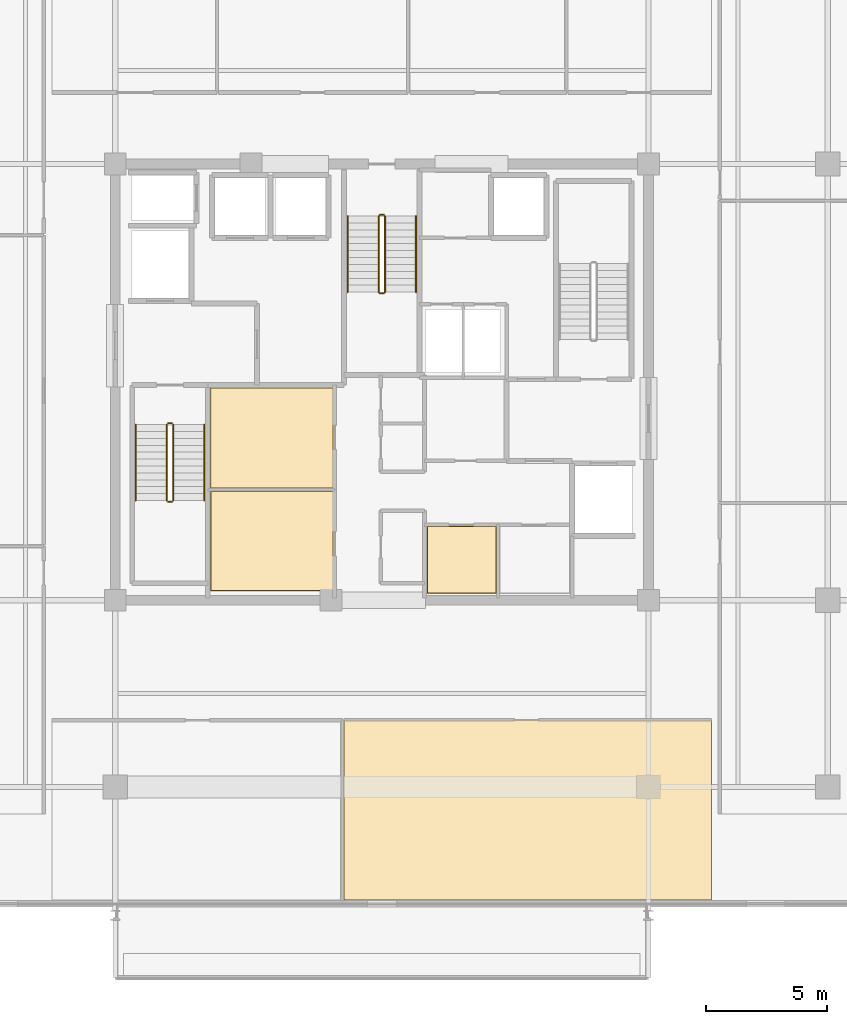
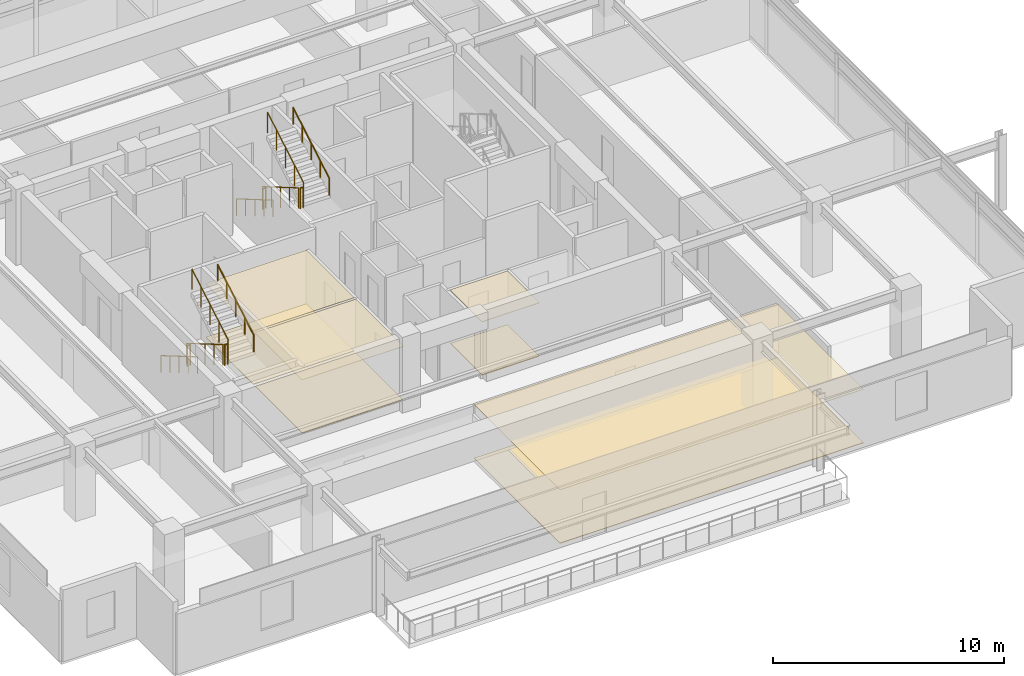
# One storey, part 19 of 21: 12 railings, 8 coverings.
"""IFC4 building model written with IfcOpenShell, lengths in metres."""

from ifc_helpers import new_model, si_unit, direction, frame, origin, origin_2d, place, context, subcontext, project, spatial, polyline, circle, outline, extrude, material, layer, layer_set, type_object, element, save


model = new_model("IFC4")

# Units and contexts
model_context = context("Model", 3, precision=1e-05, world=origin(), true_north=direction((0.0, 1.0)))
body_context = subcontext(model_context, "Body", "Model", "MODEL_VIEW")
ifc_project = project(units=[si_unit("LENGTHUNIT", "METRE"), si_unit("AREAUNIT", "SQUARE_METRE"), si_unit("VOLUMEUNIT", "CUBIC_METRE"), si_unit("PLANEANGLEUNIT", "RADIAN"), si_unit("MASSUNIT", "GRAM", prefix="KILO")], contexts=[model_context])

# Site, building, storey
site_placement = place(None, origin())
site = spatial("IfcSite", under=ifc_project, at=site_placement, CompositionType="ELEMENT")
building_placement = place(site_placement, origin())
building = spatial("IfcBuilding", under=site, at=building_placement, Name="Kovane Verandah Tower", CompositionType="ELEMENT")
storey_placement = place(building_placement, frame((0.0, 0.0, 314.800048828125)))
storey = spatial("IfcBuildingStorey", under=building, at=storey_placement, Name="L73", CompositionType="ELEMENT", Elevation=314.800048828125)

# Coverings
ifc_material_1 = material(Name="Perforated Acoustic Mineral-Fibre Ceiling Tile", Category="gypsum")
ifc_layer_1 = layer(ifc_material_1, 0.02490234375)
ifc_layer_set_1 = layer_set([ifc_layer_1], Name="Perforated Acoustic Mineral-Fibre Ceiling Tile")
covering_type_1 = type_object("IfcCoveringType", Name="CV-CEIL-25", PredefinedType="CEILING", material=ifc_layer_set_1)
covering_1_placement = place(storey_placement, frame((0.0, 0.0, 2.824951171875)))
element("IfcCovering", 1, at=covering_1_placement, inside=storey, type_object=covering_type_1, Name="L73 IT Server Room Acoustic Ceiling", PredefinedType="CEILING", context=body_context, shape_type="SweptSolid", body=[
    extrude(outline(polyline([(32.93505859375, 18.885009765625), (37.9951171875, 18.885009765625), (37.9951171875, 22.9951171875), (32.93505859375, 22.9951171875), (32.93505859375, 18.885009765625)])), origin(), (0.0, 0.0, 1.0), 0.02490234375),
])
covering_2_placement = place(storey_placement, frame((0.0, 0.0, 2.824951171875)))
element("IfcCovering", 2, at=covering_2_placement, inside=storey, type_object=covering_type_1, Name="L73 Telecom MDF Room Acoustic Ceiling", PredefinedType="CEILING", context=body_context, shape_type="SweptSolid", body=[
    extrude(outline(polyline([(32.93505859375, 23.125), (37.9951171875, 23.125), (37.9951171875, 27.264892578125), (32.93505859375, 27.264892578125), (32.93505859375, 23.125)])), origin(), (0.0, 0.0, 1.0), 0.02490234375),
])
covering_3_placement = place(storey_placement, frame((0.0, 0.0, 2.824951171875)))
element("IfcCovering", 3, at=covering_3_placement, inside=storey, type_object=covering_type_1, Name="L73 AV Control Room Acoustic Ceiling", PredefinedType="CEILING", context=body_context, shape_type="SweptSolid", body=[
    extrude(outline(polyline([(41.864990234375, 18.784912109375), (44.735107421875, 18.784912109375), (44.735107421875, 21.56494140625), (41.864990234375, 21.56494140625), (41.864990234375, 18.784912109375)])), origin(), (0.0, 0.0, 1.0), 0.02490234375),
])
covering_4_placement = place(storey_placement, frame((0.0, 0.0, 2.824951171875)))
element("IfcCovering", 4, at=covering_4_placement, inside=storey, type_object=covering_type_1, Name="L73 Document and Print Room S2 Acoustic Ceiling", PredefinedType="CEILING", context=body_context, shape_type="SweptSolid", body=[
    extrude(outline(polyline([(38.43798828125, 6.1318359375), (53.60009765625, 6.1318359375), (53.60009765625, 13.550048828125), (38.43798828125, 13.550048828125), (38.43798828125, 6.1318359375)])), origin(), (0.0, 0.0, 1.0), 0.02490234375),
])
ifc_material_2 = material(Name="Polished Terrazzo and Raised-Access Carpet Tile Finish", Category="concrete")
ifc_layer_2 = layer(ifc_material_2, 0.030029296875)
ifc_layer_set_2 = layer_set([ifc_layer_2], Name="Polished Terrazzo and Raised-Access Carpet Tile Finish")
covering_type_2 = type_object("IfcCoveringType", Name="CV-FLOR-30", PredefinedType="FLOORING", material=ifc_layer_set_2)
covering_5_placement = place(storey_placement, origin())
element("IfcCovering", 5, at=covering_5_placement, inside=storey, type_object=covering_type_2, Name="L73 IT Server Room Floor Finish", PredefinedType="FLOORING", context=body_context, shape_type="SweptSolid", body=[
    extrude(outline(polyline([(32.949951171875, 18.89990234375), (37.97998046875, 18.89990234375), (37.97998046875, 22.97998046875), (32.949951171875, 22.97998046875), (32.949951171875, 18.89990234375)])), origin(), (0.0, 0.0, 1.0), 0.030029296875),
])
covering_6_placement = place(storey_placement, origin())
element("IfcCovering", 6, at=covering_6_placement, inside=storey, type_object=covering_type_2, Name="L73 Telecom MDF Room Floor Finish", PredefinedType="FLOORING", context=body_context, shape_type="SweptSolid", body=[
    extrude(outline(polyline([(32.949951171875, 23.139892578125), (37.97998046875, 23.139892578125), (37.97998046875, 27.25), (32.949951171875, 27.25), (32.949951171875, 23.139892578125)])), origin(), (0.0, 0.0, 1.0), 0.030029296875),
])
covering_7_placement = place(storey_placement, origin())
element("IfcCovering", 7, at=covering_7_placement, inside=storey, type_object=covering_type_2, Name="L73 AV Control Room Floor Finish", PredefinedType="FLOORING", context=body_context, shape_type="SweptSolid", body=[
    extrude(outline(polyline([(41.8798828125, 18.800048828125), (44.719970703125, 18.800048828125), (44.719970703125, 21.550048828125), (41.8798828125, 21.550048828125), (41.8798828125, 18.800048828125)])), origin(), (0.0, 0.0, 1.0), 0.030029296875),
])
covering_8_placement = place(storey_placement, origin())
element("IfcCovering", 8, at=covering_8_placement, inside=storey, type_object=covering_type_2, Name="L73 Document and Print Room S2 Floor Finish", PredefinedType="FLOORING", context=body_context, shape_type="SweptSolid", body=[
    extrude(outline(polyline([(38.43798828125, 6.1318359375), (53.60009765625, 6.1318359375), (53.60009765625, 13.550048828125), (38.43798828125, 13.550048828125), (38.43798828125, 6.1318359375)])), origin(), (0.0, 0.0, 1.0), 0.030029296875),
])

# Railings
ifc_material_3 = material(Name="Brushed Stainless Steel Handrail", Category="steel")
railing_type_1 = type_object("IfcRailingType", Name="RL-HAND-920", PredefinedType="HANDRAIL", material=ifc_material_3)
railing_1_placement = place(storey_placement, frame((29.85009765625, 25.75, 0.16650390625)))
element("IfcRailing", 9, at=railing_1_placement, inside=storey, type_object=railing_type_1, Name="L73 ST-01 stair handrail 1", PredefinedType="HANDRAIL", context=body_context, shape_type="SweptSolid", body=[
    extrude(circle(Radius=0.02392578125, at=origin_2d()), frame((0.0, 0.0, 0.8759765625), z_axis=(0.0, -0.863210265497, 0.504844567704), x_axis=(1.0, 0.0, 0.0)), (0.0, 0.0, 1.0), 3.6318359375),
    extrude(circle(Radius=0.02099609375, at=origin_2d()), origin(), (0.0, 0.0, 1.0), 0.851806640625),
    extrude(circle(Radius=0.02099609375, at=origin_2d()), frame((0.0, -0.78369140625, 0.45849609375)), (0.0, 0.0, 1.0), 0.851806640625),
    extrude(circle(Radius=0.02099609375, at=origin_2d()), frame((0.0, -1.5673828125, 0.916748046875)), (0.0, 0.0, 1.0), 0.851806640625),
    extrude(circle(Radius=0.02099609375, at=origin_2d()), frame((0.0, -2.351318359375, 1.375)), (0.0, 0.0, 1.0), 0.851806640625),
    extrude(circle(Radius=0.02099609375, at=origin_2d()), frame((0.0, -3.135009765625, 1.83349609375)), (0.0, 0.0, 1.0), 0.851806640625),
])
railing_2_placement = place(storey_placement, frame((32.669921875, 22.614990234375, 2.16650390625)))
element("IfcRailing", 10, at=railing_2_placement, inside=storey, type_object=railing_type_1, Name="L73 ST-01 stair handrail 2", PredefinedType="HANDRAIL", context=body_context, shape_type="SweptSolid", body=[
    extrude(circle(Radius=0.02392578125, at=origin_2d()), frame((0.0, 0.0, 0.8759765625), z_axis=(0.0, 0.863210265497, 0.504844567704), x_axis=(-1.0, 0.0, 0.0)), (0.0, 0.0, 1.0), 3.6318359375),
    extrude(circle(Radius=0.02099609375, at=origin_2d()), origin(), (0.0, 0.0, 1.0), 0.851806640625),
    extrude(circle(Radius=0.02099609375, at=origin_2d()), frame((0.0, 0.78369140625, 0.45849609375)), (0.0, 0.0, 1.0), 0.851806640625),
    extrude(circle(Radius=0.02099609375, at=origin_2d()), frame((0.0, 1.5673828125, 0.916748046875)), (0.0, 0.0, 1.0), 0.851806640625),
    extrude(circle(Radius=0.02099609375, at=origin_2d()), frame((0.0, 2.351318359375, 1.375)), (0.0, 0.0, 1.0), 0.851806640625),
    extrude(circle(Radius=0.02099609375, at=origin_2d()), frame((0.0, 3.135009765625, 1.83349609375)), (0.0, 0.0, 1.0), 0.851806640625),
])
railing_3_placement = place(storey_placement, frame((38.590087890625, 34.35009765625, 0.16650390625)))
element("IfcRailing", 11, at=railing_3_placement, inside=storey, type_object=railing_type_1, Name="L73 ST-03 stair handrail 1", PredefinedType="HANDRAIL", context=body_context, shape_type="SweptSolid", body=[
    extrude(circle(Radius=0.02392578125, at=origin_2d()), frame((0.0, 0.0, 0.8759765625), z_axis=(0.0, -0.863210265497, 0.504844567704), x_axis=(1.0, 0.0, 0.0)), (0.0, 0.0, 1.0), 3.6318359375),
    extrude(circle(Radius=0.02099609375, at=origin_2d()), origin(), (0.0, 0.0, 1.0), 0.851806640625),
    extrude(circle(Radius=0.02099609375, at=origin_2d()), frame((0.0, -0.78369140625, 0.45849609375)), (0.0, 0.0, 1.0), 0.851806640625),
    extrude(circle(Radius=0.02099609375, at=origin_2d()), frame((0.0, -1.5673828125, 0.916748046875)), (0.0, 0.0, 1.0), 0.851806640625),
    extrude(circle(Radius=0.02099609375, at=origin_2d()), frame((0.0, -2.351318359375, 1.375)), (0.0, 0.0, 1.0), 0.851806640625),
    extrude(circle(Radius=0.02099609375, at=origin_2d()), frame((0.0, -3.135009765625, 1.83349609375)), (0.0, 0.0, 1.0), 0.851806640625),
])
railing_4_placement = place(storey_placement, frame((41.409912109375, 31.215087890625, 2.16650390625)))
element("IfcRailing", 12, at=railing_4_placement, inside=storey, type_object=railing_type_1, Name="L73 ST-03 stair handrail 2", PredefinedType="HANDRAIL", context=body_context, shape_type="SweptSolid", body=[
    extrude(circle(Radius=0.02392578125, at=origin_2d()), frame((0.0, 0.0, 0.8759765625), z_axis=(0.0, 0.863210265497, 0.504844567704), x_axis=(-1.0, 0.0, 0.0)), (0.0, 0.0, 1.0), 3.6318359375),
    extrude(circle(Radius=0.02099609375, at=origin_2d()), origin(), (0.0, 0.0, 1.0), 0.851806640625),
    extrude(circle(Radius=0.02099609375, at=origin_2d()), frame((0.0, 0.78369140625, 0.45849609375)), (0.0, 0.0, 1.0), 0.851806640625),
    extrude(circle(Radius=0.02099609375, at=origin_2d()), frame((0.0, 1.5673828125, 0.916748046875)), (0.0, 0.0, 1.0), 0.851806640625),
    extrude(circle(Radius=0.02099609375, at=origin_2d()), frame((0.0, 2.351318359375, 1.375)), (0.0, 0.0, 1.0), 0.851806640625),
    extrude(circle(Radius=0.02099609375, at=origin_2d()), frame((0.0, 3.135009765625, 1.83349609375)), (0.0, 0.0, 1.0), 0.851806640625),
])
ifc_material_4 = material(Name="Painted Steel Stairwell Guardrail", Category="steel")
railing_type_2 = type_object("IfcRailingType", Name="RL-STGUARD-1120", PredefinedType="GUARDRAIL", material=ifc_material_4)
railing_5_placement = place(storey_placement, frame((31.1298828125, 25.75, 0.16650390625)))
element("IfcRailing", 13, at=railing_5_placement, inside=storey, type_object=railing_type_2, Name="L73 ST-01 stair guard 1", PredefinedType="GUARDRAIL", context=body_context, shape_type="SweptSolid", body=[
    extrude(circle(Radius=0.02392578125, at=origin_2d()), frame((0.0, 0.0, 1.076171875), z_axis=(0.0, -0.863210265497, 0.504844567704), x_axis=(1.0, 0.0, 0.0)), (0.0, 0.0, 1.0), 3.6318359375),
    extrude(circle(Radius=0.02099609375, at=origin_2d()), origin(), (0.0, 0.0, 1.0), 1.052001953125),
    extrude(circle(Radius=0.02099609375, at=origin_2d()), frame((0.0, -0.78369140625, 0.45849609375)), (0.0, 0.0, 1.0), 1.052001953125),
    extrude(circle(Radius=0.02099609375, at=origin_2d()), frame((0.0, -1.5673828125, 0.916748046875)), (0.0, 0.0, 1.0), 1.052001953125),
    extrude(circle(Radius=0.02099609375, at=origin_2d()), frame((0.0, -2.351318359375, 1.375)), (0.0, 0.0, 1.0), 1.052001953125),
    extrude(circle(Radius=0.02099609375, at=origin_2d()), frame((0.0, -3.135009765625, 1.83349609375)), (0.0, 0.0, 1.0), 1.052001953125),
])
railing_6_placement = place(storey_placement, frame((31.179931640625, 22.56494140625, 2.0)))
element("IfcRailing", 14, at=railing_6_placement, inside=storey, type_object=railing_type_2, Name="L73 ST-01 stair guard 2", PredefinedType="GUARDRAIL", context=body_context, shape_type="SweptSolid", body=[
    extrude(circle(Radius=0.02392578125, at=origin_2d()), frame((0.0, 0.0, 1.076171875), z_axis=(1.0, 0.0, 0.0), x_axis=(0.0, 1.0, 0.0)), (0.0, 0.0, 1.0), 0.16015625),
    extrude(circle(Radius=0.02099609375, at=origin_2d()), origin(), (0.0, 0.0, 1.0), 1.052001953125),
    extrude(circle(Radius=0.02099609375, at=origin_2d()), frame((0.16015625, 0.0, 0.0)), (0.0, 0.0, 1.0), 1.052001953125),
])
railing_7_placement = place(storey_placement, frame((31.389892578125, 22.614990234375, 2.16650390625)))
element("IfcRailing", 15, at=railing_7_placement, inside=storey, type_object=railing_type_2, Name="L73 ST-01 stair guard 3", PredefinedType="GUARDRAIL", context=body_context, shape_type="SweptSolid", body=[
    extrude(circle(Radius=0.02392578125, at=origin_2d()), frame((0.0, 0.0, 1.076171875), z_axis=(0.0, 0.863210265497, 0.504844567704), x_axis=(-1.0, 0.0, 0.0)), (0.0, 0.0, 1.0), 3.6318359375),
    extrude(circle(Radius=0.02099609375, at=origin_2d()), origin(), (0.0, 0.0, 1.0), 1.052001953125),
    extrude(circle(Radius=0.02099609375, at=origin_2d()), frame((0.0, 0.78369140625, 0.45849609375)), (0.0, 0.0, 1.0), 1.052001953125),
    extrude(circle(Radius=0.02099609375, at=origin_2d()), frame((0.0, 1.5673828125, 0.916748046875)), (0.0, 0.0, 1.0), 1.052001953125),
    extrude(circle(Radius=0.02099609375, at=origin_2d()), frame((0.0, 2.351318359375, 1.375)), (0.0, 0.0, 1.0), 1.052001953125),
    extrude(circle(Radius=0.02099609375, at=origin_2d()), frame((0.0, 3.135009765625, 1.83349609375)), (0.0, 0.0, 1.0), 1.052001953125),
])
railing_8_placement = place(storey_placement, frame((31.179931640625, 25.800048828125, 0.0)))
element("IfcRailing", 16, at=railing_8_placement, inside=storey, type_object=railing_type_2, Name="L73 ST-01 stair guard 4", PredefinedType="GUARDRAIL", context=body_context, shape_type="SweptSolid", body=[
    extrude(circle(Radius=0.02392578125, at=origin_2d()), frame((0.0, 0.0, 1.076171875), z_axis=(1.0, 0.0, 0.0), x_axis=(0.0, 1.0, 0.0)), (0.0, 0.0, 1.0), 0.16015625),
    extrude(circle(Radius=0.02099609375, at=origin_2d()), origin(), (0.0, 0.0, 1.0), 1.052001953125),
    extrude(circle(Radius=0.02099609375, at=origin_2d()), frame((0.16015625, 0.0, 0.0)), (0.0, 0.0, 1.0), 1.052001953125),
])
railing_9_placement = place(storey_placement, frame((39.8701171875, 34.35009765625, 0.16650390625)))
element("IfcRailing", 17, at=railing_9_placement, inside=storey, type_object=railing_type_2, Name="L73 ST-03 stair guard 1", PredefinedType="GUARDRAIL", context=body_context, shape_type="SweptSolid", body=[
    extrude(circle(Radius=0.02392578125, at=origin_2d()), frame((0.0, 0.0, 1.076171875), z_axis=(0.0, -0.863210265497, 0.504844567704), x_axis=(1.0, 0.0, 0.0)), (0.0, 0.0, 1.0), 3.6318359375),
    extrude(circle(Radius=0.02099609375, at=origin_2d()), origin(), (0.0, 0.0, 1.0), 1.052001953125),
    extrude(circle(Radius=0.02099609375, at=origin_2d()), frame((0.0, -0.78369140625, 0.45849609375)), (0.0, 0.0, 1.0), 1.052001953125),
    extrude(circle(Radius=0.02099609375, at=origin_2d()), frame((0.0, -1.5673828125, 0.916748046875)), (0.0, 0.0, 1.0), 1.052001953125),
    extrude(circle(Radius=0.02099609375, at=origin_2d()), frame((0.0, -2.351318359375, 1.375)), (0.0, 0.0, 1.0), 1.052001953125),
    extrude(circle(Radius=0.02099609375, at=origin_2d()), frame((0.0, -3.135009765625, 1.83349609375)), (0.0, 0.0, 1.0), 1.052001953125),
])
railing_10_placement = place(storey_placement, frame((39.919921875, 31.1650390625, 2.0)))
element("IfcRailing", 18, at=railing_10_placement, inside=storey, type_object=railing_type_2, Name="L73 ST-03 stair guard 2", PredefinedType="GUARDRAIL", context=body_context, shape_type="SweptSolid", body=[
    extrude(circle(Radius=0.02392578125, at=origin_2d()), frame((0.0, 0.0, 1.076171875), z_axis=(1.0, 0.0, 0.0), x_axis=(0.0, 1.0, 0.0)), (0.0, 0.0, 1.0), 0.16015625),
    extrude(circle(Radius=0.02099609375, at=origin_2d()), origin(), (0.0, 0.0, 1.0), 1.052001953125),
    extrude(circle(Radius=0.02099609375, at=origin_2d()), frame((0.16015625, 0.0, 0.0)), (0.0, 0.0, 1.0), 1.052001953125),
])
railing_11_placement = place(storey_placement, frame((40.1298828125, 31.215087890625, 2.16650390625)))
element("IfcRailing", 19, at=railing_11_placement, inside=storey, type_object=railing_type_2, Name="L73 ST-03 stair guard 3", PredefinedType="GUARDRAIL", context=body_context, shape_type="SweptSolid", body=[
    extrude(circle(Radius=0.02392578125, at=origin_2d()), frame((0.0, 0.0, 1.076171875), z_axis=(0.0, 0.863210265497, 0.504844567704), x_axis=(-1.0, 0.0, 0.0)), (0.0, 0.0, 1.0), 3.6318359375),
    extrude(circle(Radius=0.02099609375, at=origin_2d()), origin(), (0.0, 0.0, 1.0), 1.052001953125),
    extrude(circle(Radius=0.02099609375, at=origin_2d()), frame((0.0, 0.78369140625, 0.45849609375)), (0.0, 0.0, 1.0), 1.052001953125),
    extrude(circle(Radius=0.02099609375, at=origin_2d()), frame((0.0, 1.5673828125, 0.916748046875)), (0.0, 0.0, 1.0), 1.052001953125),
    extrude(circle(Radius=0.02099609375, at=origin_2d()), frame((0.0, 2.351318359375, 1.375)), (0.0, 0.0, 1.0), 1.052001953125),
    extrude(circle(Radius=0.02099609375, at=origin_2d()), frame((0.0, 3.135009765625, 1.83349609375)), (0.0, 0.0, 1.0), 1.052001953125),
])
railing_12_placement = place(storey_placement, frame((39.919921875, 34.39990234375, 0.0)))
element("IfcRailing", 20, at=railing_12_placement, inside=storey, type_object=railing_type_2, Name="L73 ST-03 stair guard 4", PredefinedType="GUARDRAIL", context=body_context, shape_type="SweptSolid", body=[
    extrude(circle(Radius=0.02392578125, at=origin_2d()), frame((0.0, 0.0, 1.076171875), z_axis=(1.0, 0.0, 0.0), x_axis=(0.0, 1.0, 0.0)), (0.0, 0.0, 1.0), 0.16015625),
    extrude(circle(Radius=0.02099609375, at=origin_2d()), origin(), (0.0, 0.0, 1.0), 1.052001953125),
    extrude(circle(Radius=0.02099609375, at=origin_2d()), frame((0.16015625, 0.0, 0.0)), (0.0, 0.0, 1.0), 1.052001953125),
])

save(model, "model.ifc")
